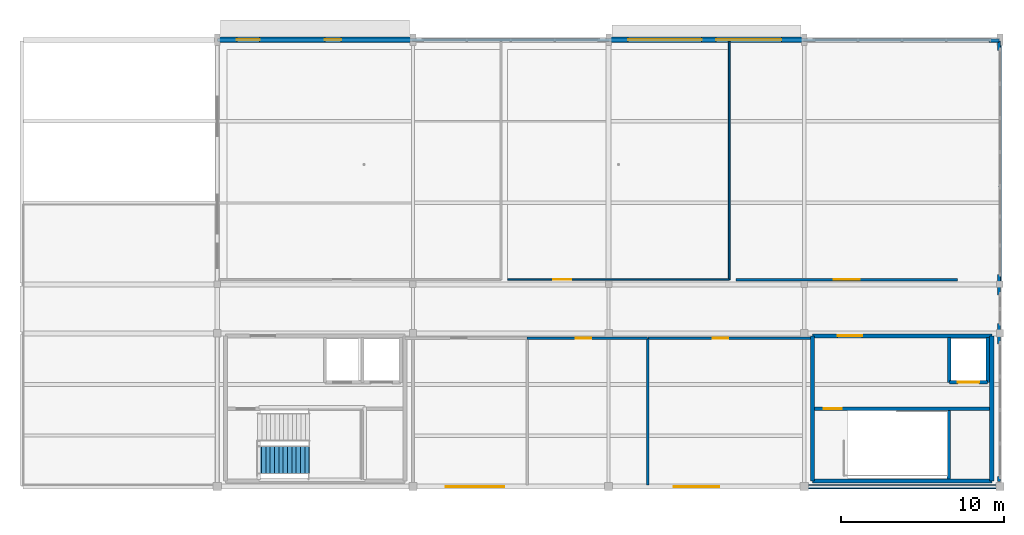
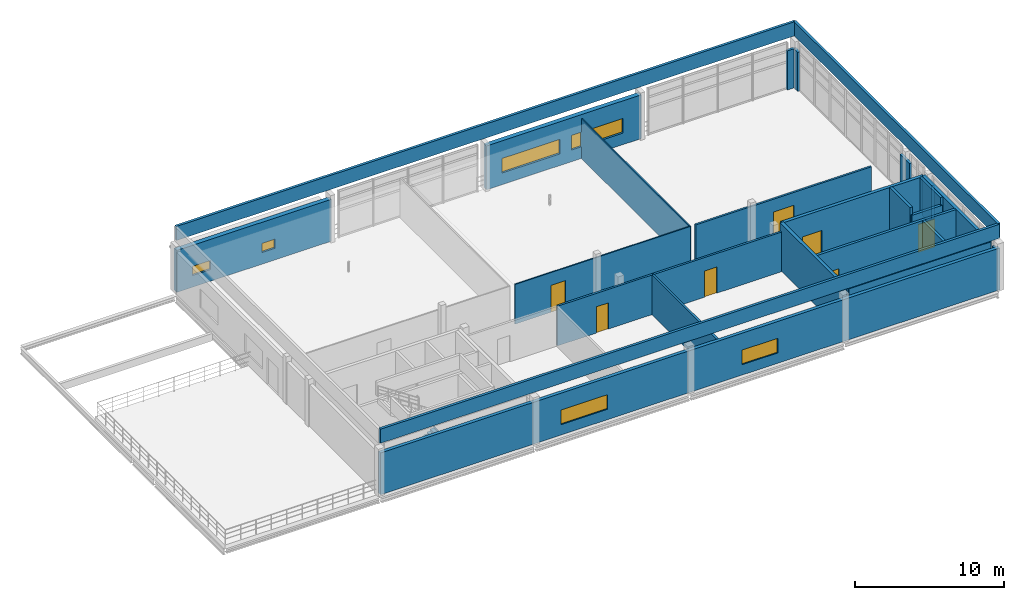
# One storey, part 6 of 9: 26 walls, 7 doors, 6 windows, 1 stair flight, 13 openings, 1 element without a shape of its own.
"""IFC4 building model written with IfcOpenShell, lengths in metres."""

from ifc_helpers import new_model, si_unit, direction, frame, frame_2d, origin, place, context, subcontext, project, spatial, polyline, rectangle, outline, extrude, material, layer, layer_set, type_object, element, fill, aggregate, save


model = new_model("IFC4")

# Units and contexts
model_context = context("Model", 3, precision=1e-05, world=origin(), true_north=direction((0.0, 1.0)))
body_context = subcontext(model_context, "Body", "Model", "MODEL_VIEW")
ifc_project = project(units=[si_unit("LENGTHUNIT", "METRE"), si_unit("AREAUNIT", "SQUARE_METRE"), si_unit("VOLUMEUNIT", "CUBIC_METRE"), si_unit("PLANEANGLEUNIT", "RADIAN"), si_unit("MASSUNIT", "GRAM", prefix="KILO"), si_unit("THERMODYNAMICTEMPERATUREUNIT", "KELVIN"), si_unit("POWERUNIT", "WATT")], contexts=[model_context])

# Site, building, storey
site_placement = place(None, origin())
site = spatial("IfcSite", under=ifc_project, at=site_placement, CompositionType="ELEMENT")
building_placement = place(site_placement, origin())
building = spatial("IfcBuilding", under=site, at=building_placement, Name="Solmara Park Aquatics Centre", CompositionType="ELEMENT")
storey_placement = place(building_placement, frame((0.0, 0.0, 18.60009765625)))
storey = spatial("IfcBuildingStorey", under=building, at=storey_placement, Name="L04", CompositionType="ELEMENT", Elevation=18.60009765625)

# Wall
ifc_material_1 = material(Name="Concrete C40/50", Category="concrete")
ifc_layer_1 = layer(ifc_material_1, 0.25, Name="Concrete C40/50")
ifc_layer_set_1 = layer_set([ifc_layer_1], Name="Concrete C40/50")
wall_type_1 = type_object("IfcWallType", Name="ARC-WL-CORE250", PredefinedType="SHEAR", material=ifc_layer_set_1)
wall_1_placement = place(storey_placement, frame((85.10009765625, 108.949951171875, 0.0), z_axis=(0.0, 0.0, 1.0), x_axis=(1.0, 0.0, 0.0)))
element("IfcWall", 1, at=wall_1_placement, inside=storey, type_object=wall_type_1, Name="CORE-2 Core Wall S L04", PredefinedType="SHEAR", context=body_context, shape_type="SweptSolid", body=[
    extrude(rectangle(XDim=11.0, YDim=0.25, at=frame_2d((5.5, 0.0))), origin(), (0.0, 0.0, 1.0), 3.8798828125),
])

# Wall, opening, door
wall_2_placement = place(storey_placement, frame((85.10009765625, 117.85009765625, 0.0), z_axis=(0.0, 0.0, 1.0), x_axis=(1.0, 0.0, 0.0)))
wall_2 = element("IfcWall", 2, at=wall_2_placement, inside=storey, type_object=wall_type_1, Name="CORE-2 Core Wall N L04", PredefinedType="SHEAR", context=body_context, shape_type="SweptSolid", body=[
    extrude(rectangle(XDim=11.0, YDim=0.25, at=frame_2d((5.5, 0.0))), origin(), (0.0, 0.0, 1.0), 3.8798828125),
])
opening_1_placement = place(wall_2_placement, frame((1.550048828125, 0.0, 0.0)))
opening_1 = element("IfcOpeningElement", 3, at=opening_1_placement, cuts=wall_2, Name="Opening D-12", PredefinedType="OPENING", context=body_context, shape_type="SweptSolid", body=[
    extrude(rectangle(XDim=1.5, YDim=2.199951171875, at=frame_2d((0.75, 1.10009765625))), frame((0.0, 0.135009765625, 0.0), z_axis=(0.0, -1.0, 0.0), x_axis=(1.0, 0.0, 0.0)), (0.0, 0.0, 1.0), 0.27001953125),
])
ifc_material_2 = material(Name="Moisture-Resistant HPL & Hardwood", Category="wood")
door_type_1 = type_object("IfcDoorType", Name="ARC-DR-FD150x220", OperationType="DOUBLE_DOOR_SINGLE_SWING", PredefinedType="DOOR", material=ifc_material_2)
door_1_placement = place(opening_1_placement, origin())
door_1 = element("IfcDoor", 4, at=door_1_placement, inside=storey, type_object=door_type_1, Name="CORE-2 Lobby Entry Fire Door L04", OperationType="DOUBLE_DOOR_SINGLE_SWING", OverallHeight=2.199951171875, OverallWidth=1.5, PredefinedType="DOOR", context=body_context, shape_type="SweptSolid", body=[
    extrude(rectangle(XDim=1.5, YDim=2.199951171875, at=frame_2d((0.75, 1.10009765625))), frame((0.0, 0.02490234375, 0.0), z_axis=(0.0, -1.0, 0.0), x_axis=(1.0, 0.0, 0.0)), (0.0, 0.0, 1.0), 0.050048828125),
])
fill(opening_1, door_1)

# Walls
for number, where, z_axis, x_axis, name in (
    (5, (85.10009765625, 108.949951171875, 0.0), (0.0, 0.0, 1.0), (0.0, 1.0, 0.0), "CORE-2 Core Wall W L04"),
    (6, (96.10009765625, 108.949951171875, 0.0), (0.0, 0.0, 1.0), (0.0, 1.0, 0.0), "CORE-2 Core Wall E L04"),
):
    element("IfcWall", number, at=place(storey_placement, frame(where, z_axis=z_axis, x_axis=x_axis)), inside=storey, type_object=wall_type_1, Name=name, PredefinedType="SHEAR", context=body_context, shape_type="SweptSolid", body=[
        extrude(rectangle(XDim=8.900146484375, YDim=0.25, at=frame_2d((4.4501953125, 0.0))), origin(), (0.0, 0.0, 1.0), 3.8798828125),
    ])

# Wall, openings, windows
ifc_material_3 = material(Name="Insulated Limestone Render Wall", Category="masonry")
ifc_layer_2 = layer(ifc_material_3, 0.35009765625, Name="Insulated Limestone Render Wall")
ifc_layer_set_2 = layer_set([ifc_layer_2], Name="Insulated Limestone Render Wall")
wall_type_2 = type_object("IfcWallType", Name="ARC-WL-EXT350", PredefinedType="SOLIDWALL", material=ifc_layer_set_2)
wall_3_placement = place(storey_placement, frame((48.60009765625, 136.0, 0.0), z_axis=(0.0, 0.0, 1.0), x_axis=(1.0, 0.0, 0.0)))
wall_3 = element("IfcWall", 7, at=wall_3_placement, inside=storey, type_object=wall_type_2, Name="Exterior Facade Wall EW-L04-040", PredefinedType="SOLIDWALL", context=body_context, shape_type="SweptSolid", body=[
    extrude(rectangle(XDim=12.0, YDim=0.35009765625, at=frame_2d((6.0, 0.0))), origin(), (0.0, 0.0, 1.0), 3.429931640625),
])
opening_2_placement = place(wall_3_placement, frame((1.199951171875, 0.0, 0.949951171875)))
opening_2 = element("IfcOpeningElement", 8, at=opening_2_placement, cuts=wall_3, Name="Opening W-31", PredefinedType="OPENING", context=body_context, shape_type="SweptSolid", body=[
    extrude(rectangle(XDim=1.39990234375, YDim=0.75, at=frame_2d((0.699951171875, 0.375))), frame((0.0, 0.18505859375, 0.0), z_axis=(0.0, -1.0, 0.0), x_axis=(1.0, 0.0, 0.0)), (0.0, 0.0, 1.0), 0.3701171875),
])
opening_3_placement = place(wall_3_placement, frame((6.60009765625, 0.0, 0.949951171875)))
opening_3 = element("IfcOpeningElement", 9, at=opening_3_placement, cuts=wall_3, Name="Opening W-32", PredefinedType="OPENING", context=body_context, shape_type="SweptSolid", body=[
    extrude(rectangle(XDim=1.0, YDim=0.75, at=frame_2d((0.5, 0.375))), frame((0.0, 0.18505859375, 0.0), z_axis=(0.0, -1.0, 0.0), x_axis=(1.0, 0.0, 0.0)), (0.0, 0.0, 1.0), 0.3701171875),
])
ifc_material_4 = material(Name="Thermally Broken Aluminium and Low-E Double Glazing", Category="aluminium")
window_type_1 = type_object("IfcWindowType", Name="ARC-WN-100x075", PartitioningType="SINGLE_PANEL", PredefinedType="WINDOW", material=ifc_material_4)
window_1_placement = place(opening_3_placement, origin())
window_1 = element("IfcWindow", 10, at=window_1_placement, inside=storey, type_object=window_type_1, Name="Ribbon Window WN-098", OverallHeight=0.75, OverallWidth=1.0, PartitioningType="SINGLE_PANEL", PredefinedType="WINDOW", context=body_context, shape_type="SweptSolid", body=[
    extrude(rectangle(XDim=1.0, YDim=0.75, at=frame_2d((0.5, 0.375))), frame((0.0, 0.030029296875, 0.0), z_axis=(0.0, -1.0, 0.0), x_axis=(1.0, 0.0, 0.0)), (0.0, 0.0, 1.0), 0.06005859375),
])
fill(opening_3, window_1)
window_type_2 = type_object("IfcWindowType", Name="ARC-WN-140x075", PartitioningType="SINGLE_PANEL", PredefinedType="WINDOW", material=ifc_material_4)
window_2_placement = place(opening_2_placement, origin())
window_2 = element("IfcWindow", 11, at=window_2_placement, inside=storey, type_object=window_type_2, Name="Ribbon Window WN-097", OverallHeight=0.75, OverallWidth=1.39990234375, PartitioningType="SINGLE_PANEL", PredefinedType="WINDOW", context=body_context, shape_type="SweptSolid", body=[
    extrude(rectangle(XDim=1.39990234375, YDim=0.75, at=frame_2d((0.699951171875, 0.375))), frame((0.0, 0.030029296875, 0.0), z_axis=(0.0, -1.0, 0.0), x_axis=(1.0, 0.0, 0.0)), (0.0, 0.0, 1.0), 0.06005859375),
])
fill(opening_2, window_2)

wall_4_placement = place(storey_placement, frame((72.60009765625, 136.0, 0.0), z_axis=(0.0, 0.0, 1.0), x_axis=(1.0, 0.0, 0.0)))
wall_4 = element("IfcWall", 12, at=wall_4_placement, inside=storey, type_object=wall_type_2, Name="Exterior Facade Wall EW-L04-041", PredefinedType="SOLIDWALL", context=body_context, shape_type="SweptSolid", body=[
    extrude(rectangle(XDim=12.0, YDim=0.35009765625, at=frame_2d((6.0, 0.0))), origin(), (0.0, 0.0, 1.0), 3.58984375),
])
opening_4_placement = place(wall_4_placement, frame((1.199951171875, 0.0, 0.949951171875)))
opening_4 = element("IfcOpeningElement", 13, at=opening_4_placement, cuts=wall_4, Name="Opening W-01", PredefinedType="OPENING", context=body_context, shape_type="SweptSolid", body=[
    extrude(rectangle(XDim=4.5, YDim=1.199951171875, at=frame_2d((2.25, 0.60009765625))), frame((0.0, 0.18505859375, 0.0), z_axis=(0.0, -1.0, 0.0), x_axis=(1.0, 0.0, 0.0)), (0.0, 0.0, 1.0), 0.3701171875),
])
opening_5_placement = place(wall_4_placement, frame((6.60009765625, 0.0, 0.949951171875)))
opening_5 = element("IfcOpeningElement", 14, at=opening_5_placement, cuts=wall_4, Name="Opening W-02", PredefinedType="OPENING", context=body_context, shape_type="SweptSolid", body=[
    extrude(rectangle(XDim=4.0, YDim=1.199951171875, at=frame_2d((2.0, 0.60009765625))), frame((0.0, 0.18505859375, 0.0), z_axis=(0.0, -1.0, 0.0), x_axis=(1.0, 0.0, 0.0)), (0.0, 0.0, 1.0), 0.3701171875),
])
window_type_3 = type_object("IfcWindowType", Name="ARC-WN-400x120", PartitioningType="TRIPLE_PANEL_HORIZONTAL", PredefinedType="WINDOW", material=ifc_material_4)
window_3_placement = place(opening_5_placement, origin())
window_3 = element("IfcWindow", 15, at=window_3_placement, inside=storey, type_object=window_type_3, Name="Ribbon Window WN-100", OverallHeight=1.199951171875, OverallWidth=4.0, PartitioningType="TRIPLE_PANEL_HORIZONTAL", PredefinedType="WINDOW", context=body_context, shape_type="SweptSolid", body=[
    extrude(rectangle(XDim=4.0, YDim=1.199951171875, at=frame_2d((2.0, 0.60009765625))), frame((0.0, 0.030029296875, 0.0), z_axis=(0.0, -1.0, 0.0), x_axis=(1.0, 0.0, 0.0)), (0.0, 0.0, 1.0), 0.06005859375),
])
fill(opening_5, window_3)
window_type_4 = type_object("IfcWindowType", Name="ARC-WN-450x120", PartitioningType="TRIPLE_PANEL_HORIZONTAL", PredefinedType="WINDOW", material=ifc_material_4)
window_4_placement = place(opening_4_placement, origin())
window_4 = element("IfcWindow", 16, at=window_4_placement, inside=storey, type_object=window_type_4, Name="Ribbon Window WN-099", OverallHeight=1.199951171875, OverallWidth=4.5, PartitioningType="TRIPLE_PANEL_HORIZONTAL", PredefinedType="WINDOW", context=body_context, shape_type="SweptSolid", body=[
    extrude(rectangle(XDim=4.5, YDim=1.199951171875, at=frame_2d((2.25, 0.60009765625))), frame((0.0, 0.030029296875, 0.0), z_axis=(0.0, -1.0, 0.0), x_axis=(1.0, 0.0, 0.0)), (0.0, 0.0, 1.0), 0.06005859375),
])
fill(opening_4, window_4)

# Wall, opening, door
ifc_material_5 = material(Name="Concrete C25/30 Autoclaved Aerated Fire Blockwork", Category="masonry")
ifc_layer_3 = layer(ifc_material_5, 0.199951171875, Name="Concrete C25/30 Autoclaved Aerated Fire Blockwork")
ifc_layer_set_3 = layer_set([ifc_layer_3], Name="Concrete C25/30 Autoclaved Aerated Fire Blockwork")
wall_type_3 = type_object("IfcWallType", Name="ARC-WL-FIRE200", PredefinedType="SOLIDWALL", material=ifc_layer_set_3)
wall_5_placement = place(storey_placement, frame((93.5, 115.0, 0.0), z_axis=(0.0, 0.0, 1.0), x_axis=(1.0, 0.0, 0.0)))
wall_5 = element("IfcWall", 17, at=wall_5_placement, inside=storey, type_object=wall_type_3, Name="CORE-2 Lift Shaft Front Wall L04", PredefinedType="SOLIDWALL", context=body_context, shape_type="SweptSolid", body=[
    extrude(rectangle(XDim=2.35009765625, YDim=0.199951171875, at=frame_2d((1.175048828125, 0.0))), origin(), (0.0, 0.0, 1.0), 3.27978515625),
])
opening_6_placement = place(wall_5_placement, frame((0.52490234375, 0.0, 0.0)))
opening_6 = element("IfcOpeningElement", 18, at=opening_6_placement, cuts=wall_5, Name="Opening D-10", PredefinedType="OPENING", context=body_context, shape_type="SweptSolid", body=[
    extrude(rectangle(XDim=1.300048828125, YDim=2.300048828125, at=frame_2d((0.64990234375, 1.14990234375))), frame((0.0, 0.10986328125, 0.0), z_axis=(0.0, -1.0, 0.0), x_axis=(1.0, 0.0, 0.0)), (0.0, 0.0, 1.0), 0.219970703125),
])
ifc_material_6 = material(Name="Stainless Steel", Category="steel")
door_type_2 = type_object("IfcDoorType", Name="ARC-DR-LD130x230", OperationType="DOUBLE_DOOR_SLIDING", PredefinedType="DOOR", material=ifc_material_6)
door_2_placement = place(opening_6_placement, frame((1.300048828125, 0.0, 0.0), z_axis=(0.0, 0.0, 1.0), x_axis=(-1.0, 0.0, 0.0)))
door_2 = element("IfcDoor", 19, at=door_2_placement, inside=storey, type_object=door_type_2, Name="LF-03 Lift Landing Door L04", OperationType="DOUBLE_DOOR_SLIDING", OverallHeight=2.300048828125, OverallWidth=1.300048828125, PredefinedType="DOOR", context=body_context, shape_type="SweptSolid", body=[
    extrude(rectangle(XDim=1.300048828125, YDim=2.300048828125, at=frame_2d((0.64990234375, 1.14990234375))), frame((0.0, 0.02490234375, 0.0), z_axis=(0.0, -1.0, 0.0), x_axis=(1.0, 0.0, 0.0)), (0.0, 0.0, 1.0), 0.050048828125),
])
fill(opening_6, door_2)

# Walls
for number, where, z_axis, x_axis, name in (
    (20, (93.5, 115.0, 0.0), (0.0, 0.0, 1.0), (0.0, 1.0, 0.0), "LF-03 Lift Shaft W Wall L04"),
    (21, (95.85009765625, 115.0, 0.0), (0.0, 0.0, 1.0), (0.0, 1.0, 0.0), "LF-03 Lift Shaft E Wall L04"),
):
    element("IfcWall", number, at=place(storey_placement, frame(where, z_axis=z_axis, x_axis=x_axis)), inside=storey, type_object=wall_type_3, Name=name, PredefinedType="SOLIDWALL", context=body_context, shape_type="SweptSolid", body=[
        extrude(rectangle(XDim=2.75, YDim=0.199951171875, at=frame_2d((1.375, 0.0))), origin(), (0.0, 0.0, 1.0), 3.8798828125),
    ])
wall_6_placement = place(storey_placement, frame((95.93994140625, 135.93994140625, 0.0), z_axis=(0.0, 0.0, 1.0), x_axis=(1.0, 0.0, 0.0)))
element("IfcWall", 22, at=wall_6_placement, inside=storey, type_object=wall_type_3, Name="L04 Step-Back Perimeter Spandrel Wall 119", PredefinedType="SOLIDWALL", context=body_context, shape_type="SweptSolid", body=[
    extrude(rectangle(XDim=0.60009765625, YDim=0.199951171875, at=frame_2d((0.300048828125, 0.0))), origin(), (0.0, 0.0, 1.0), 3.199951171875),
])
wall_7_placement = place(storey_placement, frame((96.5400390625, 135.93994140625, 0.0), z_axis=(0.0, 0.0, 1.0), x_axis=(0.0, -1.0, 0.0)))
element("IfcWall", 23, at=wall_7_placement, inside=storey, type_object=wall_type_3, Name="L04 Step-Back Perimeter Spandrel Wall 120", PredefinedType="SOLIDWALL", context=body_context, shape_type="SweptSolid", body=[
    extrude(rectangle(XDim=0.599853515625, YDim=0.199951171875, at=frame_2d((0.2998046875, 0.0))), origin(), (0.0, 0.0, 1.0), 3.199951171875),
])
for number, where, z_axis, x_axis, name in (
    (24, (96.5400390625, 121.6201171875, 0.0), (0.0, 0.0, 1.0), (0.0, -1.0, 0.0), "L04 Step-Back Perimeter Spandrel Wall 121"),
    (25, (96.5400390625, 118.6201171875, 0.0), (0.0, 0.0, 1.0), (0.0, -1.0, 0.0), "L04 Step-Back Perimeter Spandrel Wall 122"),
):
    element("IfcWall", number, at=place(storey_placement, frame(where, z_axis=z_axis, x_axis=x_axis)), inside=storey, type_object=wall_type_3, Name=name, PredefinedType="SOLIDWALL", context=body_context, shape_type="SweptSolid", body=[
        extrude(rectangle(XDim=1.280029296875, YDim=0.199951171875, at=frame_2d((0.64013671875, 0.0))), origin(), (0.0, 0.0, 1.0), 3.199951171875),
    ])
wall_8_placement = place(storey_placement, frame((96.5400390625, 109.219970703125, 0.0), z_axis=(0.0, 0.0, 1.0), x_axis=(0.0, -1.0, 0.0)))
element("IfcWall", 26, at=wall_8_placement, inside=storey, type_object=wall_type_3, Name="L04 Step-Back Perimeter Spandrel Wall 123", PredefinedType="SOLIDWALL", context=body_context, shape_type="SweptSolid", body=[
    extrude(rectangle(XDim=0.2900390625, YDim=0.199951171875, at=frame_2d((0.14501953125, 0.0))), origin(), (0.0, 0.0, 1.0), 3.199951171875),
])

# Wall, opening, door
ifc_material_7 = material(Name="Acoustic Laminated Glass Framed Partition", Category="glass")
ifc_layer_4 = layer(ifc_material_7, 0.10009765625, Name="Acoustic Laminated Glass Framed Partition")
ifc_layer_set_4 = layer_set([ifc_layer_4], Name="Acoustic Laminated Glass Framed Partition")
wall_type_4 = type_object("IfcWallType", Name="ARC-WL-GLZ100", PredefinedType="PARTITIONING", material=ifc_layer_set_4)
wall_9_placement = place(storey_placement, frame((66.39990234375, 121.300048828125, 0.0), z_axis=(0.0, 0.0, 1.0), x_axis=(1.0, 0.0, 0.0)))
wall_9 = element("IfcWall", 27, at=wall_9_placement, inside=storey, type_object=wall_type_4, Name="Interior Partition IW-L04-0143 (L04-TIM-01)", PredefinedType="PARTITIONING", context=body_context, shape_type="SweptSolid", body=[
    extrude(rectangle(XDim=13.60009765625, YDim=0.10009765625, at=frame_2d((6.800048828125, 0.0))), origin(), (0.0, 0.0, 1.0), 3.25),
])
opening_7_placement = place(wall_9_placement, frame((2.800048828125, 0.0, 0.0)))
opening_7 = element("IfcOpeningElement", 28, at=opening_7_placement, cuts=wall_9, Name="Opening D-15", PredefinedType="OPENING", context=body_context, shape_type="SweptSolid", body=[
    extrude(rectangle(XDim=1.10009765625, YDim=2.199951171875, at=frame_2d((0.550048828125, 1.10009765625))), frame((0.0, 0.06005859375, 0.0), z_axis=(0.0, -1.0, 0.0), x_axis=(1.0, 0.0, 0.0)), (0.0, 0.0, 1.0), 0.1201171875),
])
door_type_3 = type_object("IfcDoorType", Name="ARC-DR-SGL110x220", OperationType="NOTDEFINED", PredefinedType="DOOR", material=ifc_material_2)
door_3_placement = place(opening_7_placement, origin())
door_3 = element("IfcDoor", 29, at=door_3_placement, inside=storey, type_object=door_type_3, Name="Electronic Timing and Results Control Suite Door", OperationType="SINGLE_SWING_LEFT", OverallHeight=2.199951171875, OverallWidth=1.10009765625, PredefinedType="DOOR", context=body_context, shape_type="SweptSolid", body=[
    extrude(rectangle(XDim=1.10009765625, YDim=2.199951171875, at=frame_2d((0.550048828125, 1.10009765625))), frame((0.0, 0.02490234375, 0.0), z_axis=(0.0, -1.0, 0.0), x_axis=(1.0, 0.0, 0.0)), (0.0, 0.0, 1.0), 0.050048828125),
])
fill(opening_7, door_3)

# Wall
wall_10_placement = place(storey_placement, frame((80.0, 121.300048828125, 0.0), z_axis=(0.0, 0.0, 1.0), x_axis=(0.0, 1.0, 0.0)))
element("IfcWall", 30, at=wall_10_placement, inside=storey, type_object=wall_type_4, Name="Interior Partition IW-L04-0144 (L04-TIM-01)", PredefinedType="PARTITIONING", context=body_context, shape_type="SweptSolid", body=[
    extrude(rectangle(XDim=14.599853515625, YDim=0.10009765625, at=frame_2d((7.2998046875, 0.0))), origin(), (0.0, 0.0, 1.0), 3.25),
])

# Wall, opening, door
ifc_material_8 = material(Name="Cement-Rendered Masonry Partition", Category="masonry")
ifc_layer_5 = layer(ifc_material_8, 0.14990234375, Name="Cement-Rendered Masonry Partition")
ifc_layer_set_5 = layer_set([ifc_layer_5], Name="Cement-Rendered Masonry Partition")
wall_type_5 = type_object("IfcWallType", Name="ARC-WL-MAS150", PredefinedType="PARTITIONING", material=ifc_layer_set_5)
wall_11_placement = place(storey_placement, frame((80.39990234375, 121.300048828125, 0.0), z_axis=(0.0, 0.0, 1.0), x_axis=(1.0, 0.0, 0.0)))
wall_11 = element("IfcWall", 31, at=wall_11_placement, inside=storey, type_object=wall_type_5, Name="Interior Partition IW-L04-0145 (L04-PRS-01)", PredefinedType="PARTITIONING", context=body_context, shape_type="SweptSolid", body=[
    extrude(rectangle(XDim=13.60009765625, YDim=0.14990234375, at=frame_2d((6.800048828125, 0.0))), origin(), (0.0, 0.0, 1.0), 3.25),
])
opening_8_placement = place(wall_11_placement, frame((6.0, 0.0, 0.0)))
opening_8 = element("IfcOpeningElement", 32, at=opening_8_placement, cuts=wall_11, Name="Opening D-19", PredefinedType="OPENING", context=body_context, shape_type="SweptSolid", body=[
    extrude(rectangle(XDim=1.60009765625, YDim=2.199951171875, at=frame_2d((0.800048828125, 1.10009765625))), frame((0.0, 0.0849609375, 0.0), z_axis=(0.0, -1.0, 0.0), x_axis=(1.0, 0.0, 0.0)), (0.0, 0.0, 1.0), 0.169921875),
])
door_type_4 = type_object("IfcDoorType", Name="ARC-DR-DBL160x220", OperationType="DOUBLE_DOOR_SINGLE_SWING", PredefinedType="DOOR", material=ifc_material_2)
door_4_placement = place(opening_8_placement, origin())
door_4 = element("IfcDoor", 33, at=door_4_placement, inside=storey, type_object=door_type_4, Name="Accredited Media Lounge and Park Belvedere Club Door", OperationType="DOUBLE_DOOR_SINGLE_SWING", OverallHeight=2.199951171875, OverallWidth=1.60009765625, PredefinedType="DOOR", context=body_context, shape_type="SweptSolid", body=[
    extrude(rectangle(XDim=1.60009765625, YDim=2.199951171875, at=frame_2d((0.800048828125, 1.10009765625))), frame((0.0, 0.02490234375, 0.0), z_axis=(0.0, -1.0, 0.0), x_axis=(1.0, 0.0, 0.0)), (0.0, 0.0, 1.0), 0.050048828125),
])
fill(opening_8, door_4)

# Walls
ifc_material_9 = material(Name="Precast Concrete C40/50", Category="concrete")
ifc_layer_6 = layer(ifc_material_9, 0.199951171875, Name="Precast Concrete C40/50")
ifc_layer_set_6 = layer_set([ifc_layer_6], Name="Precast Concrete C40/50")
wall_type_6 = type_object("IfcWallType", Name="ARC-WL-PAR200", PredefinedType="PARAPET", material=ifc_layer_set_6)
for number, where, z_axis, x_axis, name in (
    (34, (48.60009765625, 108.60009765625, 4.199951171875), (0.0, 0.0, 1.0), (1.0, 0.0, 0.0), "Roof Maintenance Parapet 07"),
    (35, (48.60009765625, 136.0, 4.199951171875), (0.0, 0.0, 1.0), (1.0, 0.0, 0.0), "Roof Maintenance Parapet 08"),
):
    element("IfcWall", number, at=place(storey_placement, frame(where, z_axis=z_axis, x_axis=x_axis)), inside=storey, type_object=wall_type_6, Name=name, PredefinedType="PARAPET", context=body_context, shape_type="SweptSolid", body=[
        extrude(rectangle(XDim=48.0, YDim=0.199951171875, at=frame_2d((24.0, 0.0))), origin(), (0.0, 0.0, 1.0), 1.14990234375),
    ])
wall_12_placement = place(storey_placement, frame((96.60009765625, 108.60009765625, 4.199951171875), z_axis=(0.0, 0.0, 1.0), x_axis=(0.0, 1.0, 0.0)))
element("IfcWall", 36, at=wall_12_placement, inside=storey, type_object=wall_type_6, Name="Roof Maintenance Parapet 10", PredefinedType="PARAPET", context=body_context, shape_type="SweptSolid", body=[
    extrude(rectangle(XDim=27.39990234375, YDim=0.199951171875, at=frame_2d((13.699951171875, 0.0))), origin(), (0.0, 0.0, 1.0), 1.14990234375),
])

# Wall, openings, windows
ifc_material_10 = material(Name="Insulated Precast Spandrel Panel C40/50", Category="concrete")
ifc_layer_7 = layer(ifc_material_10, 0.260009765625, Name="Insulated Precast Spandrel Panel C40/50")
ifc_layer_set_7 = layer_set([ifc_layer_7], Name="Insulated Precast Spandrel Panel C40/50")
wall_type_7 = type_object("IfcWallType", Name="ARC-WL-SPN260", PredefinedType="SOLIDWALL", material=ifc_layer_set_7)
wall_13_placement = place(storey_placement, frame((48.60009765625, 108.60009765625, 0.0), z_axis=(0.0, 0.0, 1.0), x_axis=(1.0, 0.0, 0.0)))
wall_13 = element("IfcWall", 37, at=wall_13_placement, inside=storey, type_object=wall_type_7, Name="Exterior Facade Wall EW-L04-042", PredefinedType="SOLIDWALL", context=body_context, shape_type="SweptSolid", body=[
    extrude(rectangle(XDim=48.0, YDim=0.260009765625, at=frame_2d((24.0, 0.0))), origin(), (0.0, 0.0, 1.0), 3.429931640625),
])
opening_9_placement = place(wall_13_placement, frame((14.0, 0.0, 0.85009765625)))
opening_9 = element("IfcOpeningElement", 38, at=opening_9_placement, cuts=wall_13, Name="Opening W-03", PredefinedType="OPENING", context=body_context, shape_type="SweptSolid", body=[
    extrude(rectangle(XDim=3.60009765625, YDim=1.199951171875, at=frame_2d((1.800048828125, 0.60009765625))), frame((0.0, 0.139892578125, 0.0), z_axis=(0.0, -1.0, 0.0), x_axis=(1.0, 0.0, 0.0)), (0.0, 0.0, 1.0), 0.280029296875),
])
opening_10_placement = place(wall_13_placement, frame((28.0, 0.0, 0.85009765625)))
opening_10 = element("IfcOpeningElement", 39, at=opening_10_placement, cuts=wall_13, Name="Opening W-05", PredefinedType="OPENING", context=body_context, shape_type="SweptSolid", body=[
    extrude(rectangle(XDim=2.800048828125, YDim=1.199951171875, at=frame_2d((1.39990234375, 0.60009765625))), frame((0.0, 0.139892578125, 0.0), z_axis=(0.0, -1.0, 0.0), x_axis=(1.0, 0.0, 0.0)), (0.0, 0.0, 1.0), 0.280029296875),
])
window_type_5 = type_object("IfcWindowType", Name="ARC-WN-280x120", PartitioningType="DOUBLE_PANEL_HORIZONTAL", PredefinedType="WINDOW", material=ifc_material_4)
window_5_placement = place(opening_10_placement, frame((2.800048828125, 0.0, 0.0), z_axis=(0.0, 0.0, 1.0), x_axis=(-1.0, 0.0, 0.0)))
window_5 = element("IfcWindow", 40, at=window_5_placement, inside=storey, type_object=window_type_5, Name="Ribbon Window WN-102", OverallHeight=1.199951171875, OverallWidth=2.800048828125, PartitioningType="DOUBLE_PANEL_HORIZONTAL", PredefinedType="WINDOW", context=body_context, shape_type="SweptSolid", body=[
    extrude(rectangle(XDim=2.800048828125, YDim=1.199951171875, at=frame_2d((1.39990234375, 0.60009765625))), frame((0.0, 0.030029296875, 0.0), z_axis=(0.0, -1.0, 0.0), x_axis=(1.0, 0.0, 0.0)), (0.0, 0.0, 1.0), 0.06005859375),
])
fill(opening_10, window_5)
window_type_6 = type_object("IfcWindowType", Name="ARC-WN-360x120", PartitioningType="TRIPLE_PANEL_HORIZONTAL", PredefinedType="WINDOW", material=ifc_material_4)
window_6_placement = place(opening_9_placement, frame((3.60009765625, 0.0, 0.0), z_axis=(0.0, 0.0, 1.0), x_axis=(-1.0, 0.0, 0.0)))
window_6 = element("IfcWindow", 41, at=window_6_placement, inside=storey, type_object=window_type_6, Name="Ribbon Window WN-101", OverallHeight=1.199951171875, OverallWidth=3.60009765625, PartitioningType="TRIPLE_PANEL_HORIZONTAL", PredefinedType="WINDOW", context=body_context, shape_type="SweptSolid", body=[
    extrude(rectangle(XDim=3.60009765625, YDim=1.199951171875, at=frame_2d((1.800048828125, 0.60009765625))), frame((0.0, 0.030029296875, 0.0), z_axis=(0.0, -1.0, 0.0), x_axis=(1.0, 0.0, 0.0)), (0.0, 0.0, 1.0), 0.06005859375),
])
fill(opening_9, window_6)

# Wall
ifc_material_11 = material(Name="Waterproof Tile-Faced Wet-Area Plumbing Wall", Category="concrete")
ifc_layer_8 = layer(ifc_material_11, 0.159912109375, Name="Waterproof Tile-Faced Wet-Area Plumbing Wall")
ifc_layer_set_8 = layer_set([ifc_layer_8], Name="Waterproof Tile-Faced Wet-Area Plumbing Wall")
wall_type_8 = type_object("IfcWallType", Name="ARC-WL-WET160", PredefinedType="PLUMBINGWALL", material=ifc_layer_set_8)
wall_14_placement = place(storey_placement, frame((75.0, 108.699951171875, 0.0), z_axis=(0.0, 0.0, 1.0), x_axis=(0.0, 1.0, 0.0)))
element("IfcWall", 42, at=wall_14_placement, inside=storey, type_object=wall_type_8, Name="Interior Partition IW-L04-0149 (L04-WCF-01)", PredefinedType="PLUMBINGWALL", context=body_context, shape_type="SweptSolid", body=[
    extrude(rectangle(XDim=9.0, YDim=0.159912109375, at=frame_2d((4.5, 0.0))), origin(), (0.0, 0.0, 1.0), 3.25),
])

# Wall, opening, door
wall_15_placement = place(storey_placement, frame((67.610107421875, 117.699951171875, 0.0), z_axis=(0.0, 0.0, 1.0), x_axis=(1.0, 0.0, 0.0)))
wall_15 = element("IfcWall", 43, at=wall_15_placement, inside=storey, type_object=wall_type_8, Name="Interior Partition IW-L04-0150 (L04-WCF-01)", PredefinedType="PLUMBINGWALL", context=body_context, shape_type="SweptSolid", body=[
    extrude(rectangle(XDim=7.389892578125, YDim=0.159912109375, at=frame_2d((3.69482421875, 0.0))), origin(), (0.0, 0.0, 1.0), 3.25),
])
opening_11_placement = place(wall_15_placement, frame((2.989990234375, 0.0, 0.0)))
opening_11 = element("IfcOpeningElement", 44, at=opening_11_placement, cuts=wall_15, Name="Opening D-18", PredefinedType="OPENING", context=body_context, shape_type="SweptSolid", body=[
    extrude(rectangle(XDim=0.949951171875, YDim=2.14990234375, at=frame_2d((0.47509765625, 1.074951171875))), frame((0.0, 0.08984375, 0.0), z_axis=(0.0, -1.0, 0.0), x_axis=(1.0, 0.0, 0.0)), (0.0, 0.0, 1.0), 0.179931640625),
])
door_type_5 = type_object("IfcDoorType", Name="ARC-DR-WC95x220", OperationType="NOTDEFINED", PredefinedType="DOOR", material=ifc_material_2)
door_5_placement = place(opening_11_placement, origin())
door_5 = element("IfcDoor", 45, at=door_5_placement, inside=storey, type_object=door_type_5, Name="L04 Media Female Toilet Door", OperationType="SINGLE_SWING_LEFT", OverallHeight=2.14990234375, OverallWidth=0.949951171875, PredefinedType="DOOR", context=body_context, shape_type="SweptSolid", body=[
    extrude(rectangle(XDim=0.949951171875, YDim=2.14990234375, at=frame_2d((0.47509765625, 1.074951171875))), frame((0.0, 0.02490234375, 0.0), z_axis=(0.0, -1.0, 0.0), x_axis=(1.0, 0.0, 0.0)), (0.0, 0.0, 1.0), 0.050048828125),
])
fill(opening_11, door_5)

wall_16_placement = place(storey_placement, frame((75.010009765625, 117.699951171875, 0.0), z_axis=(0.0, 0.0, 1.0), x_axis=(1.0, 0.0, 0.0)))
wall_16 = element("IfcWall", 46, at=wall_16_placement, inside=storey, type_object=wall_type_8, Name="Interior Partition IW-L04-0151 (L04-WCA-01)", PredefinedType="PLUMBINGWALL", context=body_context, shape_type="SweptSolid", body=[
    extrude(rectangle(XDim=9.965087890625, YDim=0.159912109375, at=frame_2d((4.982421875, 0.0))), origin(), (0.0, 0.0, 1.0), 3.25),
])
opening_12_placement = place(wall_16_placement, frame((3.989990234375, 0.0, 0.0)))
opening_12 = element("IfcOpeningElement", 47, at=opening_12_placement, cuts=wall_16, Name="Opening D-18", PredefinedType="OPENING", context=body_context, shape_type="SweptSolid", body=[
    extrude(rectangle(XDim=0.949951171875, YDim=2.14990234375, at=frame_2d((0.47509765625, 1.074951171875))), frame((0.0, 0.08984375, 0.0), z_axis=(0.0, -1.0, 0.0), x_axis=(1.0, 0.0, 0.0)), (0.0, 0.0, 1.0), 0.179931640625),
])
door_6_placement = place(opening_12_placement, origin())
door_6 = element("IfcDoor", 48, at=door_6_placement, inside=storey, type_object=door_type_5, Name="L04 Accessible WC Door", OperationType="SINGLE_SWING_RIGHT", OverallHeight=2.14990234375, OverallWidth=0.949951171875, PredefinedType="DOOR", context=body_context, shape_type="SweptSolid", body=[
    extrude(rectangle(XDim=0.949951171875, YDim=2.14990234375, at=frame_2d((0.47509765625, 1.074951171875))), frame((0.0, 0.02490234375, 0.0), z_axis=(0.0, -1.0, 0.0), x_axis=(1.0, 0.0, 0.0)), (0.0, 0.0, 1.0), 0.050048828125),
])
fill(opening_12, door_6)

ifc_material_12 = material(Name="Concrete C35/45", Category="concrete")
ifc_layer_9 = layer(ifc_material_12, 0.199951171875, Name="Concrete C35/45")
ifc_layer_set_9 = layer_set([ifc_layer_9], Name="Concrete C35/45")
wall_type_9 = type_object("IfcWallType", Name="STR-WL-STAIR200", PredefinedType="SHEAR", material=ifc_layer_set_9)
wall_17_placement = place(storey_placement, frame((85.219970703125, 113.375, 0.0), z_axis=(0.0, 0.0, 1.0), x_axis=(1.0, 0.0, 0.0)))
wall_17 = element("IfcWall", 49, at=wall_17_placement, inside=storey, type_object=wall_type_9, Name="CORE-2 Stairwell Compartment Wall L04", PredefinedType="SHEAR", context=body_context, shape_type="SweptSolid", body=[
    extrude(rectangle(XDim=10.760009765625, YDim=0.199951171875, at=frame_2d((5.3798828125, 0.0))), origin(), (0.0, 0.0, 1.0), 3.8798828125),
])
opening_13_placement = place(wall_17_placement, frame((0.580078125, 0.0, 0.0)))
opening_13 = element("IfcOpeningElement", 50, at=opening_13_placement, cuts=wall_17, Name="Opening D-11", PredefinedType="OPENING", context=body_context, shape_type="SweptSolid", body=[
    extrude(rectangle(XDim=1.10009765625, YDim=2.199951171875, at=frame_2d((0.550048828125, 1.10009765625))), frame((0.0, 0.10986328125, 0.0), z_axis=(0.0, -1.0, 0.0), x_axis=(1.0, 0.0, 0.0)), (0.0, 0.0, 1.0), 0.219970703125),
])
door_type_6 = type_object("IfcDoorType", Name="ARC-DR-FD110x220", OperationType="NOTDEFINED", PredefinedType="DOOR", material=ifc_material_2)
door_7_placement = place(opening_13_placement, origin())
door_7 = element("IfcDoor", 51, at=door_7_placement, inside=storey, type_object=door_type_6, Name="ST-02 Fire Door L04", OperationType="SINGLE_SWING_RIGHT", OverallHeight=2.199951171875, OverallWidth=1.10009765625, PredefinedType="DOOR", context=body_context, shape_type="SweptSolid", body=[
    extrude(rectangle(XDim=1.10009765625, YDim=2.199951171875, at=frame_2d((0.550048828125, 1.10009765625))), frame((0.0, 0.02490234375, 0.0), z_axis=(0.0, -1.0, 0.0), x_axis=(1.0, 0.0, 0.0)), (0.0, 0.0, 1.0), 0.050048828125),
])
fill(opening_13, door_7)

# Wall
wall_18_placement = place(storey_placement, frame((93.4599609375, 109.070068359375, 0.0), z_axis=(0.0, 0.0, 1.0), x_axis=(0.0, 1.0, 0.0)))
element("IfcWall", 52, at=wall_18_placement, inside=storey, type_object=wall_type_9, Name="CORE-2 Stairwell East End Wall L04", PredefinedType="SHEAR", context=body_context, shape_type="SweptSolid", body=[
    extrude(rectangle(XDim=4.204833984375, YDim=0.199951171875, at=frame_2d((2.1025390625, 0.0))), origin(), (0.0, 0.0, 1.0), 3.8798828125),
])

# Stair, stair flight
stair_type = type_object("IfcStairType", Name="ARC-ST-CORE", PredefinedType="HALF_TURN_STAIR", material=ifc_material_1)
stair_placement = place(storey_placement, origin())
stair = element("IfcStair", 53, at=stair_placement, inside=storey, type_object=stair_type, Name="ST-01 Protected Exit Stair (L04 to RF)", PredefinedType="HALF_TURN_STAIR")
ifc_layer_10 = layer(ifc_material_1, 0.199951171875, Name="Concrete C40/50")
ifc_layer_set_10 = layer_set([ifc_layer_10], Name="Concrete C40/50")
stair_flight_type = type_object("IfcStairFlightType", Name="ARC-STF-06", PredefinedType="STRAIGHT", material=ifc_layer_set_10)
stair_flight_placement = place(storey_placement, frame((51.050048828125, 110.235107421875, 0.0), z_axis=(0.0, 0.0, 1.0), x_axis=(1.0, 0.0, 0.0)))
stair_flight = element("IfcStairFlight", 54, at=stair_flight_placement, type_object=stair_flight_type, Name="ST-01 flight 1", NumberOfRisers=13, NumberOfTreads=12, PredefinedType="STRAIGHT", RiserHeight=0.16154, TreadLength=0.265, context=body_context, shape_type="SweptSolid", body=[
    extrude(outline(polyline([(0.0, 0.0), (0.0, 0.16162109375), (0.264892578125, 0.16162109375), (0.264892578125, 0.322998046875), (0.530029296875, 0.322998046875), (0.530029296875, 0.484619140625), (0.794921875, 0.484619140625), (0.794921875, 0.646240234375), (1.06005859375, 0.646240234375), (1.06005859375, 0.8076171875), (1.324951171875, 0.8076171875), (1.324951171875, 0.96923828125), (1.590087890625, 0.96923828125), (1.590087890625, 1.130859375), (1.85498046875, 1.130859375), (1.85498046875, 1.292236328125), (2.1201171875, 1.292236328125), (2.1201171875, 1.453857421875), (2.385009765625, 1.453857421875), (2.385009765625, 1.615478515625), (2.64990234375, 1.615478515625), (2.64990234375, 1.77685546875), (2.9150390625, 1.77685546875), (2.9150390625, 1.9384765625), (3.179931640625, 1.9384765625), (3.179931640625, 2.10009765625), (3.199951171875, 2.10009765625), (3.199951171875, 1.727783203125), (0.36572265625, 0.0), (0.0, 0.0)])), frame((0.0, 0.864990234375, 0.0), z_axis=(0.0, -1.0, 0.0), x_axis=(1.0, 0.0, 0.0)), (0.0, 0.0, 1.0), 1.72998046875),
])
aggregate(stair, [stair_flight])

save(model, "model.ifc")
